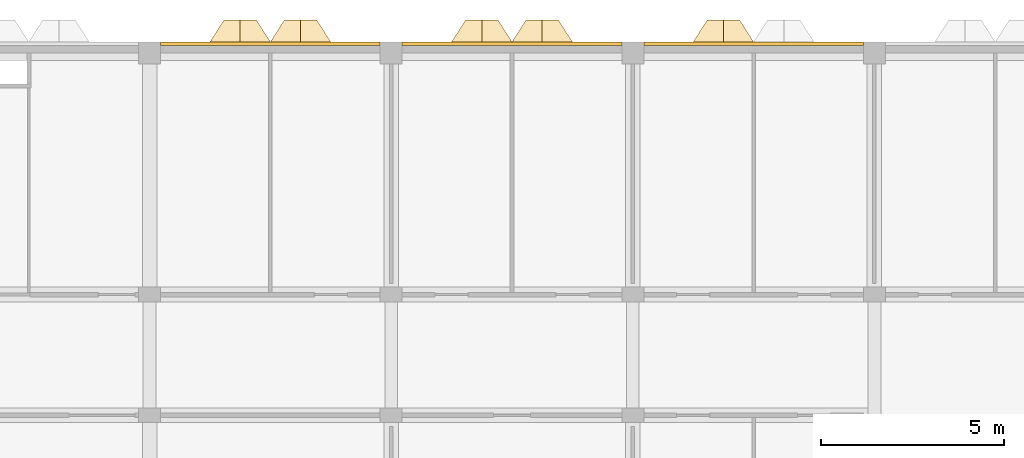
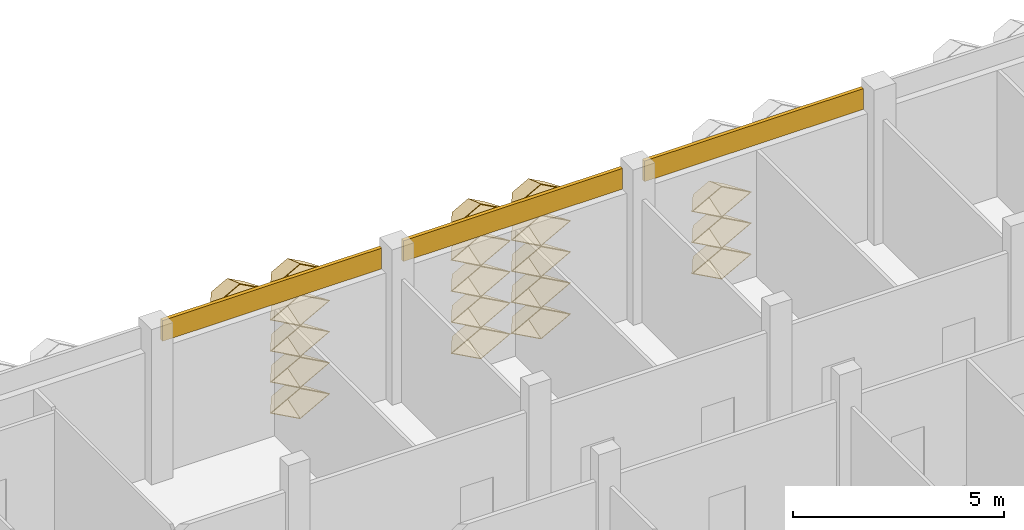
# One storey, part 94 of 102: 22 coverings.
"""IFC4 building model written with IfcOpenShell, lengths in metres."""

from ifc_helpers import new_model, entity, si_unit, direction, frame, frame_2d, origin, place, context, subcontext, project, spatial, rectangle, extrude, material, layer, layer_set, type_object, element, save


model = new_model("IFC4")

# Units and contexts
model_context = context("Model", 3, precision=1e-05, world=origin(), true_north=direction((0.0, 1.0)))
body_context = subcontext(model_context, "Body", "Model", "MODEL_VIEW")
ifc_project = project(units=[si_unit("LENGTHUNIT", "METRE"), si_unit("AREAUNIT", "SQUARE_METRE"), si_unit("VOLUMEUNIT", "CUBIC_METRE"), si_unit("PLANEANGLEUNIT", "RADIAN"), si_unit("MASSUNIT", "GRAM", prefix="KILO")], contexts=[model_context])

# Site, building, storey
site_placement = place(None, origin())
site = spatial("IfcSite", under=ifc_project, at=site_placement, CompositionType="ELEMENT")
building_placement = place(site_placement, origin())
building = spatial("IfcBuilding", under=site, at=building_placement, Name="Lantern Court Research Institute", CompositionType="ELEMENT")
storey_placement = place(building_placement, frame((0.0, 0.0, 9.89990234375)))
storey = spatial("IfcBuildingStorey", under=building, at=storey_placement, Name="L02", CompositionType="ELEMENT", Elevation=9.89990234375)

# Coverings
ifc_material_1 = material(Name="Aluminium composite panel with mineral wool insulation", Category="aluminium")
ifc_layer_1 = layer(ifc_material_1, 0.10009765625)
ifc_layer_set_1 = layer_set([ifc_layer_1], Name="Aluminium composite panel with mineral wool insulation")
covering_type_1 = type_object("IfcCoveringType", Name="Edge fascia panel 100 aluminium faced", PredefinedType="CLADDING", material=ifc_layer_set_1)
for number, where, z_axis, x_axis, name in (
    (1, (20.10009765625, 99.25, 3.650146484375), (0.0, 0.0, 1.0), (1.0, 0.0, 0.0), "Edge fascia V6N L02 03"),
    (2, (26.699951171875, 99.25, 3.650146484375), (0.0, 0.0, 1.0), (1.0, 0.0, 0.0), "Edge fascia V6N L02 04"),
    (3, (33.300048828125, 99.25, 3.650146484375), (0.0, 0.0, 1.0), (1.0, 0.0, 0.0), "Edge fascia V6N L02 05"),
):
    element("IfcCovering", number, at=place(storey_placement, frame(where, z_axis=z_axis, x_axis=x_axis)), inside=storey, type_object=covering_type_1, Name=name, PredefinedType="CLADDING", context=body_context, shape_type="SweptSolid", body=[
        extrude(rectangle(XDim=6.0, YDim=0.10009765625, at=frame_2d((3.0, 0.0))), origin(), (0.0, 0.0, 1.0), 0.599853515625),
    ])
ifc_material_2 = material(Name="Anodised aluminium", Category="aluminium")
ifc_layer_2 = layer(ifc_material_2, 0.01611328125)
ifc_layer_set_2 = layer_set([ifc_layer_2], Name="Anodised aluminium")
covering_type_2 = type_object("IfcCoveringType", Name="Fin cassette 1650 x 900 x 600 aluminium", PredefinedType="CLADDING", material=ifc_layer_set_2)
covering_1_placement = place(storey_placement, frame((23.925048828125, 99.300048828125, 0.4501953125), z_axis=(0.0, 1.0, 0.0), x_axis=(-1.0, 0.0, 0.0)))
cartesian_point_1 = entity("IfcCartesianPoint", [0.824951171875, 0.0])
cartesian_point_2 = entity("IfcCartesianPoint", [0.79150390625, 0.0])
cartesian_point_3 = entity("IfcCartesianPoint", [0.44189453125, 0.0])
cartesian_point_4 = entity("IfcCartesianPoint", [0.43359375, 0.0])
element("IfcCovering", 4, at=covering_1_placement, inside=storey, type_object=covering_type_2, Name="Fin cassette V6N-L02 1.15", PredefinedType="CLADDING", context=body_context, shape_type="SweptSolid", body=[
    entity("IfcExtrudedAreaSolidTapered", entity("IfcArbitraryProfileDefWithVoids", "AREA", None, entity("IfcPolyline", [cartesian_point_1, entity("IfcCartesianPoint", [0.0, 0.449951171875]), entity("IfcCartesianPoint", [-0.824951171875, 0.0]), entity("IfcCartesianPoint", [0.0, -0.449951171875]), cartesian_point_1]), [entity("IfcPolyline", [cartesian_point_2, entity("IfcCartesianPoint", [0.0, 0.431884765625]), entity("IfcCartesianPoint", [-0.79150390625, 0.0]), entity("IfcCartesianPoint", [0.0, -0.431884765625]), cartesian_point_2])]), entity("IfcAxis2Placement3D", entity("IfcCartesianPoint", [0.0, 0.0, 0.0])), entity("IfcDirection", [0.0, 0.0, 1.0]), 0.60009765625, entity("IfcArbitraryProfileDefWithVoids", "AREA", None, entity("IfcPolyline", [cartesian_point_3, entity("IfcCartesianPoint", [0.0, 0.240966796875]), entity("IfcCartesianPoint", [-0.44189453125, 0.0]), entity("IfcCartesianPoint", [0.0, -0.240966796875]), cartesian_point_3]), [entity("IfcPolyline", [cartesian_point_4, entity("IfcCartesianPoint", [0.0, 0.236572265625]), entity("IfcCartesianPoint", [-0.43359375, 0.0]), entity("IfcCartesianPoint", [0.0, -0.236572265625]), cartesian_point_4])])),
])
covering_2_placement = place(storey_placement, frame((28.875, 99.300048828125, 0.4501953125), z_axis=(0.0, 1.0, 0.0), x_axis=(-1.0, 0.0, 0.0)))
cartesian_point_5 = entity("IfcCartesianPoint", [0.824951171875, 0.0])
cartesian_point_6 = entity("IfcCartesianPoint", [0.79150390625, 0.0])
cartesian_point_7 = entity("IfcCartesianPoint", [0.44189453125, 0.0])
cartesian_point_8 = entity("IfcCartesianPoint", [0.43359375, 0.0])
element("IfcCovering", 5, at=covering_2_placement, inside=storey, type_object=covering_type_2, Name="Fin cassette V6N-L02 1.18", PredefinedType="CLADDING", context=body_context, shape_type="SweptSolid", body=[
    entity("IfcExtrudedAreaSolidTapered", entity("IfcArbitraryProfileDefWithVoids", "AREA", None, entity("IfcPolyline", [cartesian_point_5, entity("IfcCartesianPoint", [0.0, 0.449951171875]), entity("IfcCartesianPoint", [-0.824951171875, 0.0]), entity("IfcCartesianPoint", [0.0, -0.449951171875]), cartesian_point_5]), [entity("IfcPolyline", [cartesian_point_6, entity("IfcCartesianPoint", [0.0, 0.431884765625]), entity("IfcCartesianPoint", [-0.79150390625, 0.0]), entity("IfcCartesianPoint", [0.0, -0.431884765625]), cartesian_point_6])]), entity("IfcAxis2Placement3D", entity("IfcCartesianPoint", [0.0, 0.0, 0.0])), entity("IfcDirection", [0.0, 0.0, 1.0]), 0.60009765625, entity("IfcArbitraryProfileDefWithVoids", "AREA", None, entity("IfcPolyline", [cartesian_point_7, entity("IfcCartesianPoint", [0.0, 0.240966796875]), entity("IfcCartesianPoint", [-0.44189453125, 0.0]), entity("IfcCartesianPoint", [0.0, -0.240966796875]), cartesian_point_7]), [entity("IfcPolyline", [cartesian_point_8, entity("IfcCartesianPoint", [0.0, 0.236572265625]), entity("IfcCartesianPoint", [-0.43359375, 0.0]), entity("IfcCartesianPoint", [0.0, -0.236572265625]), cartesian_point_8])])),
])
covering_3_placement = place(storey_placement, frame((30.52490234375, 99.300048828125, 0.4501953125), z_axis=(0.0, 1.0, 0.0), x_axis=(-1.0, 0.0, 0.0)))
cartesian_point_9 = entity("IfcCartesianPoint", [0.824951171875, 0.0])
cartesian_point_10 = entity("IfcCartesianPoint", [0.79150390625, 0.0])
cartesian_point_11 = entity("IfcCartesianPoint", [0.44189453125, 0.0])
cartesian_point_12 = entity("IfcCartesianPoint", [0.43359375, 0.0])
element("IfcCovering", 6, at=covering_3_placement, inside=storey, type_object=covering_type_2, Name="Fin cassette V6N-L02 1.19", PredefinedType="CLADDING", context=body_context, shape_type="SweptSolid", body=[
    entity("IfcExtrudedAreaSolidTapered", entity("IfcArbitraryProfileDefWithVoids", "AREA", None, entity("IfcPolyline", [cartesian_point_9, entity("IfcCartesianPoint", [0.0, 0.449951171875]), entity("IfcCartesianPoint", [-0.824951171875, 0.0]), entity("IfcCartesianPoint", [0.0, -0.449951171875]), cartesian_point_9]), [entity("IfcPolyline", [cartesian_point_10, entity("IfcCartesianPoint", [0.0, 0.431884765625]), entity("IfcCartesianPoint", [-0.79150390625, 0.0]), entity("IfcCartesianPoint", [0.0, -0.431884765625]), cartesian_point_10])]), entity("IfcAxis2Placement3D", entity("IfcCartesianPoint", [0.0, 0.0, 0.0])), entity("IfcDirection", [0.0, 0.0, 1.0]), 0.60009765625, entity("IfcArbitraryProfileDefWithVoids", "AREA", None, entity("IfcPolyline", [cartesian_point_11, entity("IfcCartesianPoint", [0.0, 0.240966796875]), entity("IfcCartesianPoint", [-0.44189453125, 0.0]), entity("IfcCartesianPoint", [0.0, -0.240966796875]), cartesian_point_11]), [entity("IfcPolyline", [cartesian_point_12, entity("IfcCartesianPoint", [0.0, 0.236572265625]), entity("IfcCartesianPoint", [-0.43359375, 0.0]), entity("IfcCartesianPoint", [0.0, -0.236572265625]), cartesian_point_12])])),
])
covering_4_placement = place(storey_placement, frame((35.47509765625, 99.300048828125, 0.4501953125), z_axis=(0.0, 1.0, 0.0), x_axis=(-1.0, 0.0, 0.0)))
cartesian_point_13 = entity("IfcCartesianPoint", [0.824951171875, 0.0])
cartesian_point_14 = entity("IfcCartesianPoint", [0.79150390625, 0.0])
cartesian_point_15 = entity("IfcCartesianPoint", [0.44189453125, 0.0])
cartesian_point_16 = entity("IfcCartesianPoint", [0.43359375, 0.0])
element("IfcCovering", 7, at=covering_4_placement, inside=storey, type_object=covering_type_2, Name="Fin cassette V6N-L02 1.22", PredefinedType="CLADDING", context=body_context, shape_type="SweptSolid", body=[
    entity("IfcExtrudedAreaSolidTapered", entity("IfcArbitraryProfileDefWithVoids", "AREA", None, entity("IfcPolyline", [cartesian_point_13, entity("IfcCartesianPoint", [0.0, 0.449951171875]), entity("IfcCartesianPoint", [-0.824951171875, 0.0]), entity("IfcCartesianPoint", [0.0, -0.449951171875]), cartesian_point_13]), [entity("IfcPolyline", [cartesian_point_14, entity("IfcCartesianPoint", [0.0, 0.431884765625]), entity("IfcCartesianPoint", [-0.79150390625, 0.0]), entity("IfcCartesianPoint", [0.0, -0.431884765625]), cartesian_point_14])]), entity("IfcAxis2Placement3D", entity("IfcCartesianPoint", [0.0, 0.0, 0.0])), entity("IfcDirection", [0.0, 0.0, 1.0]), 0.60009765625, entity("IfcArbitraryProfileDefWithVoids", "AREA", None, entity("IfcPolyline", [cartesian_point_15, entity("IfcCartesianPoint", [0.0, 0.240966796875]), entity("IfcCartesianPoint", [-0.44189453125, 0.0]), entity("IfcCartesianPoint", [0.0, -0.240966796875]), cartesian_point_15]), [entity("IfcPolyline", [cartesian_point_16, entity("IfcCartesianPoint", [0.0, 0.236572265625]), entity("IfcCartesianPoint", [-0.43359375, 0.0]), entity("IfcCartesianPoint", [0.0, -0.236572265625]), cartesian_point_16])])),
])
covering_5_placement = place(storey_placement, frame((23.925048828125, 99.300048828125, 1.35009765625), z_axis=(0.0, 1.0, 0.0), x_axis=(-1.0, 0.0, 0.0)))
cartesian_point_17 = entity("IfcCartesianPoint", [0.824951171875, 0.0])
cartesian_point_18 = entity("IfcCartesianPoint", [0.79150390625, 0.0])
cartesian_point_19 = entity("IfcCartesianPoint", [0.44189453125, 0.0])
cartesian_point_20 = entity("IfcCartesianPoint", [0.43359375, 0.0])
element("IfcCovering", 8, at=covering_5_placement, inside=storey, type_object=covering_type_2, Name="Fin cassette V6N-L02 2.15", PredefinedType="CLADDING", context=body_context, shape_type="SweptSolid", body=[
    entity("IfcExtrudedAreaSolidTapered", entity("IfcArbitraryProfileDefWithVoids", "AREA", None, entity("IfcPolyline", [cartesian_point_17, entity("IfcCartesianPoint", [0.0, 0.449951171875]), entity("IfcCartesianPoint", [-0.824951171875, 0.0]), entity("IfcCartesianPoint", [0.0, -0.449951171875]), cartesian_point_17]), [entity("IfcPolyline", [cartesian_point_18, entity("IfcCartesianPoint", [0.0, 0.431884765625]), entity("IfcCartesianPoint", [-0.79150390625, 0.0]), entity("IfcCartesianPoint", [0.0, -0.431884765625]), cartesian_point_18])]), entity("IfcAxis2Placement3D", entity("IfcCartesianPoint", [0.0, 0.0, 0.0])), entity("IfcDirection", [0.0, 0.0, 1.0]), 0.60009765625, entity("IfcArbitraryProfileDefWithVoids", "AREA", None, entity("IfcPolyline", [cartesian_point_19, entity("IfcCartesianPoint", [0.0, 0.240966796875]), entity("IfcCartesianPoint", [-0.44189453125, 0.0]), entity("IfcCartesianPoint", [0.0, -0.240966796875]), cartesian_point_19]), [entity("IfcPolyline", [cartesian_point_20, entity("IfcCartesianPoint", [0.0, 0.236572265625]), entity("IfcCartesianPoint", [-0.43359375, 0.0]), entity("IfcCartesianPoint", [0.0, -0.236572265625]), cartesian_point_20])])),
])
covering_6_placement = place(storey_placement, frame((28.875, 99.300048828125, 1.35009765625), z_axis=(0.0, 1.0, 0.0), x_axis=(-1.0, 0.0, 0.0)))
cartesian_point_21 = entity("IfcCartesianPoint", [0.824951171875, 0.0])
cartesian_point_22 = entity("IfcCartesianPoint", [0.79150390625, 0.0])
cartesian_point_23 = entity("IfcCartesianPoint", [0.44189453125, 0.0])
cartesian_point_24 = entity("IfcCartesianPoint", [0.43359375, 0.0])
element("IfcCovering", 9, at=covering_6_placement, inside=storey, type_object=covering_type_2, Name="Fin cassette V6N-L02 2.18", PredefinedType="CLADDING", context=body_context, shape_type="SweptSolid", body=[
    entity("IfcExtrudedAreaSolidTapered", entity("IfcArbitraryProfileDefWithVoids", "AREA", None, entity("IfcPolyline", [cartesian_point_21, entity("IfcCartesianPoint", [0.0, 0.449951171875]), entity("IfcCartesianPoint", [-0.824951171875, 0.0]), entity("IfcCartesianPoint", [0.0, -0.449951171875]), cartesian_point_21]), [entity("IfcPolyline", [cartesian_point_22, entity("IfcCartesianPoint", [0.0, 0.431884765625]), entity("IfcCartesianPoint", [-0.79150390625, 0.0]), entity("IfcCartesianPoint", [0.0, -0.431884765625]), cartesian_point_22])]), entity("IfcAxis2Placement3D", entity("IfcCartesianPoint", [0.0, 0.0, 0.0])), entity("IfcDirection", [0.0, 0.0, 1.0]), 0.60009765625, entity("IfcArbitraryProfileDefWithVoids", "AREA", None, entity("IfcPolyline", [cartesian_point_23, entity("IfcCartesianPoint", [0.0, 0.240966796875]), entity("IfcCartesianPoint", [-0.44189453125, 0.0]), entity("IfcCartesianPoint", [0.0, -0.240966796875]), cartesian_point_23]), [entity("IfcPolyline", [cartesian_point_24, entity("IfcCartesianPoint", [0.0, 0.236572265625]), entity("IfcCartesianPoint", [-0.43359375, 0.0]), entity("IfcCartesianPoint", [0.0, -0.236572265625]), cartesian_point_24])])),
])
covering_7_placement = place(storey_placement, frame((30.52490234375, 99.300048828125, 1.35009765625), z_axis=(0.0, 1.0, 0.0), x_axis=(-1.0, 0.0, 0.0)))
cartesian_point_25 = entity("IfcCartesianPoint", [0.824951171875, 0.0])
cartesian_point_26 = entity("IfcCartesianPoint", [0.79150390625, 0.0])
cartesian_point_27 = entity("IfcCartesianPoint", [0.44189453125, 0.0])
cartesian_point_28 = entity("IfcCartesianPoint", [0.43359375, 0.0])
element("IfcCovering", 10, at=covering_7_placement, inside=storey, type_object=covering_type_2, Name="Fin cassette V6N-L02 2.19", PredefinedType="CLADDING", context=body_context, shape_type="SweptSolid", body=[
    entity("IfcExtrudedAreaSolidTapered", entity("IfcArbitraryProfileDefWithVoids", "AREA", None, entity("IfcPolyline", [cartesian_point_25, entity("IfcCartesianPoint", [0.0, 0.449951171875]), entity("IfcCartesianPoint", [-0.824951171875, 0.0]), entity("IfcCartesianPoint", [0.0, -0.449951171875]), cartesian_point_25]), [entity("IfcPolyline", [cartesian_point_26, entity("IfcCartesianPoint", [0.0, 0.431884765625]), entity("IfcCartesianPoint", [-0.79150390625, 0.0]), entity("IfcCartesianPoint", [0.0, -0.431884765625]), cartesian_point_26])]), entity("IfcAxis2Placement3D", entity("IfcCartesianPoint", [0.0, 0.0, 0.0])), entity("IfcDirection", [0.0, 0.0, 1.0]), 0.60009765625, entity("IfcArbitraryProfileDefWithVoids", "AREA", None, entity("IfcPolyline", [cartesian_point_27, entity("IfcCartesianPoint", [0.0, 0.240966796875]), entity("IfcCartesianPoint", [-0.44189453125, 0.0]), entity("IfcCartesianPoint", [0.0, -0.240966796875]), cartesian_point_27]), [entity("IfcPolyline", [cartesian_point_28, entity("IfcCartesianPoint", [0.0, 0.236572265625]), entity("IfcCartesianPoint", [-0.43359375, 0.0]), entity("IfcCartesianPoint", [0.0, -0.236572265625]), cartesian_point_28])])),
])
covering_8_placement = place(storey_placement, frame((35.47509765625, 99.300048828125, 1.35009765625), z_axis=(0.0, 1.0, 0.0), x_axis=(-1.0, 0.0, 0.0)))
cartesian_point_29 = entity("IfcCartesianPoint", [0.824951171875, 0.0])
cartesian_point_30 = entity("IfcCartesianPoint", [0.79150390625, 0.0])
cartesian_point_31 = entity("IfcCartesianPoint", [0.44189453125, 0.0])
cartesian_point_32 = entity("IfcCartesianPoint", [0.43359375, 0.0])
element("IfcCovering", 11, at=covering_8_placement, inside=storey, type_object=covering_type_2, Name="Fin cassette V6N-L02 2.22", PredefinedType="CLADDING", context=body_context, shape_type="SweptSolid", body=[
    entity("IfcExtrudedAreaSolidTapered", entity("IfcArbitraryProfileDefWithVoids", "AREA", None, entity("IfcPolyline", [cartesian_point_29, entity("IfcCartesianPoint", [0.0, 0.449951171875]), entity("IfcCartesianPoint", [-0.824951171875, 0.0]), entity("IfcCartesianPoint", [0.0, -0.449951171875]), cartesian_point_29]), [entity("IfcPolyline", [cartesian_point_30, entity("IfcCartesianPoint", [0.0, 0.431884765625]), entity("IfcCartesianPoint", [-0.79150390625, 0.0]), entity("IfcCartesianPoint", [0.0, -0.431884765625]), cartesian_point_30])]), entity("IfcAxis2Placement3D", entity("IfcCartesianPoint", [0.0, 0.0, 0.0])), entity("IfcDirection", [0.0, 0.0, 1.0]), 0.60009765625, entity("IfcArbitraryProfileDefWithVoids", "AREA", None, entity("IfcPolyline", [cartesian_point_31, entity("IfcCartesianPoint", [0.0, 0.240966796875]), entity("IfcCartesianPoint", [-0.44189453125, 0.0]), entity("IfcCartesianPoint", [0.0, -0.240966796875]), cartesian_point_31]), [entity("IfcPolyline", [cartesian_point_32, entity("IfcCartesianPoint", [0.0, 0.236572265625]), entity("IfcCartesianPoint", [-0.43359375, 0.0]), entity("IfcCartesianPoint", [0.0, -0.236572265625]), cartesian_point_32])])),
])
covering_9_placement = place(storey_placement, frame((23.925048828125, 99.300048828125, 2.25), z_axis=(0.0, 1.0, 0.0), x_axis=(-1.0, 0.0, 0.0)))
cartesian_point_33 = entity("IfcCartesianPoint", [0.824951171875, 0.0])
cartesian_point_34 = entity("IfcCartesianPoint", [0.79150390625, 0.0])
cartesian_point_35 = entity("IfcCartesianPoint", [0.44189453125, 0.0])
cartesian_point_36 = entity("IfcCartesianPoint", [0.43359375, 0.0])
element("IfcCovering", 12, at=covering_9_placement, inside=storey, type_object=covering_type_2, Name="Fin cassette V6N-L02 3.15", PredefinedType="CLADDING", context=body_context, shape_type="SweptSolid", body=[
    entity("IfcExtrudedAreaSolidTapered", entity("IfcArbitraryProfileDefWithVoids", "AREA", None, entity("IfcPolyline", [cartesian_point_33, entity("IfcCartesianPoint", [0.0, 0.449951171875]), entity("IfcCartesianPoint", [-0.824951171875, 0.0]), entity("IfcCartesianPoint", [0.0, -0.449951171875]), cartesian_point_33]), [entity("IfcPolyline", [cartesian_point_34, entity("IfcCartesianPoint", [0.0, 0.431884765625]), entity("IfcCartesianPoint", [-0.79150390625, 0.0]), entity("IfcCartesianPoint", [0.0, -0.431884765625]), cartesian_point_34])]), entity("IfcAxis2Placement3D", entity("IfcCartesianPoint", [0.0, 0.0, 0.0])), entity("IfcDirection", [0.0, 0.0, 1.0]), 0.60009765625, entity("IfcArbitraryProfileDefWithVoids", "AREA", None, entity("IfcPolyline", [cartesian_point_35, entity("IfcCartesianPoint", [0.0, 0.240966796875]), entity("IfcCartesianPoint", [-0.44189453125, 0.0]), entity("IfcCartesianPoint", [0.0, -0.240966796875]), cartesian_point_35]), [entity("IfcPolyline", [cartesian_point_36, entity("IfcCartesianPoint", [0.0, 0.236572265625]), entity("IfcCartesianPoint", [-0.43359375, 0.0]), entity("IfcCartesianPoint", [0.0, -0.236572265625]), cartesian_point_36])])),
])
covering_10_placement = place(storey_placement, frame((28.875, 99.300048828125, 2.25), z_axis=(0.0, 1.0, 0.0), x_axis=(-1.0, 0.0, 0.0)))
cartesian_point_37 = entity("IfcCartesianPoint", [0.824951171875, 0.0])
cartesian_point_38 = entity("IfcCartesianPoint", [0.79150390625, 0.0])
cartesian_point_39 = entity("IfcCartesianPoint", [0.44189453125, 0.0])
cartesian_point_40 = entity("IfcCartesianPoint", [0.43359375, 0.0])
element("IfcCovering", 13, at=covering_10_placement, inside=storey, type_object=covering_type_2, Name="Fin cassette V6N-L02 3.18", PredefinedType="CLADDING", context=body_context, shape_type="SweptSolid", body=[
    entity("IfcExtrudedAreaSolidTapered", entity("IfcArbitraryProfileDefWithVoids", "AREA", None, entity("IfcPolyline", [cartesian_point_37, entity("IfcCartesianPoint", [0.0, 0.449951171875]), entity("IfcCartesianPoint", [-0.824951171875, 0.0]), entity("IfcCartesianPoint", [0.0, -0.449951171875]), cartesian_point_37]), [entity("IfcPolyline", [cartesian_point_38, entity("IfcCartesianPoint", [0.0, 0.431884765625]), entity("IfcCartesianPoint", [-0.79150390625, 0.0]), entity("IfcCartesianPoint", [0.0, -0.431884765625]), cartesian_point_38])]), entity("IfcAxis2Placement3D", entity("IfcCartesianPoint", [0.0, 0.0, 0.0])), entity("IfcDirection", [0.0, 0.0, 1.0]), 0.60009765625, entity("IfcArbitraryProfileDefWithVoids", "AREA", None, entity("IfcPolyline", [cartesian_point_39, entity("IfcCartesianPoint", [0.0, 0.240966796875]), entity("IfcCartesianPoint", [-0.44189453125, 0.0]), entity("IfcCartesianPoint", [0.0, -0.240966796875]), cartesian_point_39]), [entity("IfcPolyline", [cartesian_point_40, entity("IfcCartesianPoint", [0.0, 0.236572265625]), entity("IfcCartesianPoint", [-0.43359375, 0.0]), entity("IfcCartesianPoint", [0.0, -0.236572265625]), cartesian_point_40])])),
])
covering_11_placement = place(storey_placement, frame((30.52490234375, 99.300048828125, 2.25), z_axis=(0.0, 1.0, 0.0), x_axis=(-1.0, 0.0, 0.0)))
cartesian_point_41 = entity("IfcCartesianPoint", [0.824951171875, 0.0])
cartesian_point_42 = entity("IfcCartesianPoint", [0.79150390625, 0.0])
cartesian_point_43 = entity("IfcCartesianPoint", [0.44189453125, 0.0])
cartesian_point_44 = entity("IfcCartesianPoint", [0.43359375, 0.0])
element("IfcCovering", 14, at=covering_11_placement, inside=storey, type_object=covering_type_2, Name="Fin cassette V6N-L02 3.19", PredefinedType="CLADDING", context=body_context, shape_type="SweptSolid", body=[
    entity("IfcExtrudedAreaSolidTapered", entity("IfcArbitraryProfileDefWithVoids", "AREA", None, entity("IfcPolyline", [cartesian_point_41, entity("IfcCartesianPoint", [0.0, 0.449951171875]), entity("IfcCartesianPoint", [-0.824951171875, 0.0]), entity("IfcCartesianPoint", [0.0, -0.449951171875]), cartesian_point_41]), [entity("IfcPolyline", [cartesian_point_42, entity("IfcCartesianPoint", [0.0, 0.431884765625]), entity("IfcCartesianPoint", [-0.79150390625, 0.0]), entity("IfcCartesianPoint", [0.0, -0.431884765625]), cartesian_point_42])]), entity("IfcAxis2Placement3D", entity("IfcCartesianPoint", [0.0, 0.0, 0.0])), entity("IfcDirection", [0.0, 0.0, 1.0]), 0.60009765625, entity("IfcArbitraryProfileDefWithVoids", "AREA", None, entity("IfcPolyline", [cartesian_point_43, entity("IfcCartesianPoint", [0.0, 0.240966796875]), entity("IfcCartesianPoint", [-0.44189453125, 0.0]), entity("IfcCartesianPoint", [0.0, -0.240966796875]), cartesian_point_43]), [entity("IfcPolyline", [cartesian_point_44, entity("IfcCartesianPoint", [0.0, 0.236572265625]), entity("IfcCartesianPoint", [-0.43359375, 0.0]), entity("IfcCartesianPoint", [0.0, -0.236572265625]), cartesian_point_44])])),
])
covering_12_placement = place(storey_placement, frame((35.47509765625, 99.300048828125, 2.25), z_axis=(0.0, 1.0, 0.0), x_axis=(-1.0, 0.0, 0.0)))
cartesian_point_45 = entity("IfcCartesianPoint", [0.824951171875, 0.0])
cartesian_point_46 = entity("IfcCartesianPoint", [0.79150390625, 0.0])
cartesian_point_47 = entity("IfcCartesianPoint", [0.44189453125, 0.0])
cartesian_point_48 = entity("IfcCartesianPoint", [0.43359375, 0.0])
element("IfcCovering", 15, at=covering_12_placement, inside=storey, type_object=covering_type_2, Name="Fin cassette V6N-L02 3.22", PredefinedType="CLADDING", context=body_context, shape_type="SweptSolid", body=[
    entity("IfcExtrudedAreaSolidTapered", entity("IfcArbitraryProfileDefWithVoids", "AREA", None, entity("IfcPolyline", [cartesian_point_45, entity("IfcCartesianPoint", [0.0, 0.449951171875]), entity("IfcCartesianPoint", [-0.824951171875, 0.0]), entity("IfcCartesianPoint", [0.0, -0.449951171875]), cartesian_point_45]), [entity("IfcPolyline", [cartesian_point_46, entity("IfcCartesianPoint", [0.0, 0.431884765625]), entity("IfcCartesianPoint", [-0.79150390625, 0.0]), entity("IfcCartesianPoint", [0.0, -0.431884765625]), cartesian_point_46])]), entity("IfcAxis2Placement3D", entity("IfcCartesianPoint", [0.0, 0.0, 0.0])), entity("IfcDirection", [0.0, 0.0, 1.0]), 0.60009765625, entity("IfcArbitraryProfileDefWithVoids", "AREA", None, entity("IfcPolyline", [cartesian_point_47, entity("IfcCartesianPoint", [0.0, 0.240966796875]), entity("IfcCartesianPoint", [-0.44189453125, 0.0]), entity("IfcCartesianPoint", [0.0, -0.240966796875]), cartesian_point_47]), [entity("IfcPolyline", [cartesian_point_48, entity("IfcCartesianPoint", [0.0, 0.236572265625]), entity("IfcCartesianPoint", [-0.43359375, 0.0]), entity("IfcCartesianPoint", [0.0, -0.236572265625]), cartesian_point_48])])),
])
covering_13_placement = place(storey_placement, frame((23.925048828125, 99.300048828125, 3.150146484375), z_axis=(0.0, 1.0, 0.0), x_axis=(-1.0, 0.0, 0.0)))
cartesian_point_49 = entity("IfcCartesianPoint", [0.824951171875, 0.0])
cartesian_point_50 = entity("IfcCartesianPoint", [0.79150390625, 0.0])
cartesian_point_51 = entity("IfcCartesianPoint", [0.44189453125, 0.0])
cartesian_point_52 = entity("IfcCartesianPoint", [0.43359375, 0.0])
element("IfcCovering", 16, at=covering_13_placement, inside=storey, type_object=covering_type_2, Name="Fin cassette V6N-L02 4.15", PredefinedType="CLADDING", context=body_context, shape_type="SweptSolid", body=[
    entity("IfcExtrudedAreaSolidTapered", entity("IfcArbitraryProfileDefWithVoids", "AREA", None, entity("IfcPolyline", [cartesian_point_49, entity("IfcCartesianPoint", [0.0, 0.449951171875]), entity("IfcCartesianPoint", [-0.824951171875, 0.0]), entity("IfcCartesianPoint", [0.0, -0.449951171875]), cartesian_point_49]), [entity("IfcPolyline", [cartesian_point_50, entity("IfcCartesianPoint", [0.0, 0.431884765625]), entity("IfcCartesianPoint", [-0.79150390625, 0.0]), entity("IfcCartesianPoint", [0.0, -0.431884765625]), cartesian_point_50])]), entity("IfcAxis2Placement3D", entity("IfcCartesianPoint", [0.0, 0.0, 0.0])), entity("IfcDirection", [0.0, 0.0, 1.0]), 0.60009765625, entity("IfcArbitraryProfileDefWithVoids", "AREA", None, entity("IfcPolyline", [cartesian_point_51, entity("IfcCartesianPoint", [0.0, 0.240966796875]), entity("IfcCartesianPoint", [-0.44189453125, 0.0]), entity("IfcCartesianPoint", [0.0, -0.240966796875]), cartesian_point_51]), [entity("IfcPolyline", [cartesian_point_52, entity("IfcCartesianPoint", [0.0, 0.236572265625]), entity("IfcCartesianPoint", [-0.43359375, 0.0]), entity("IfcCartesianPoint", [0.0, -0.236572265625]), cartesian_point_52])])),
])
covering_14_placement = place(storey_placement, frame((28.875, 99.300048828125, 3.150146484375), z_axis=(0.0, 1.0, 0.0), x_axis=(-1.0, 0.0, 0.0)))
cartesian_point_53 = entity("IfcCartesianPoint", [0.824951171875, 0.0])
cartesian_point_54 = entity("IfcCartesianPoint", [0.79150390625, 0.0])
cartesian_point_55 = entity("IfcCartesianPoint", [0.44189453125, 0.0])
cartesian_point_56 = entity("IfcCartesianPoint", [0.43359375, 0.0])
element("IfcCovering", 17, at=covering_14_placement, inside=storey, type_object=covering_type_2, Name="Fin cassette V6N-L02 4.18", PredefinedType="CLADDING", context=body_context, shape_type="SweptSolid", body=[
    entity("IfcExtrudedAreaSolidTapered", entity("IfcArbitraryProfileDefWithVoids", "AREA", None, entity("IfcPolyline", [cartesian_point_53, entity("IfcCartesianPoint", [0.0, 0.449951171875]), entity("IfcCartesianPoint", [-0.824951171875, 0.0]), entity("IfcCartesianPoint", [0.0, -0.449951171875]), cartesian_point_53]), [entity("IfcPolyline", [cartesian_point_54, entity("IfcCartesianPoint", [0.0, 0.431884765625]), entity("IfcCartesianPoint", [-0.79150390625, 0.0]), entity("IfcCartesianPoint", [0.0, -0.431884765625]), cartesian_point_54])]), entity("IfcAxis2Placement3D", entity("IfcCartesianPoint", [0.0, 0.0, 0.0])), entity("IfcDirection", [0.0, 0.0, 1.0]), 0.60009765625, entity("IfcArbitraryProfileDefWithVoids", "AREA", None, entity("IfcPolyline", [cartesian_point_55, entity("IfcCartesianPoint", [0.0, 0.240966796875]), entity("IfcCartesianPoint", [-0.44189453125, 0.0]), entity("IfcCartesianPoint", [0.0, -0.240966796875]), cartesian_point_55]), [entity("IfcPolyline", [cartesian_point_56, entity("IfcCartesianPoint", [0.0, 0.236572265625]), entity("IfcCartesianPoint", [-0.43359375, 0.0]), entity("IfcCartesianPoint", [0.0, -0.236572265625]), cartesian_point_56])])),
])
covering_15_placement = place(storey_placement, frame((30.52490234375, 99.300048828125, 3.150146484375), z_axis=(0.0, 1.0, 0.0), x_axis=(-1.0, 0.0, 0.0)))
cartesian_point_57 = entity("IfcCartesianPoint", [0.824951171875, 0.0])
cartesian_point_58 = entity("IfcCartesianPoint", [0.79150390625, 0.0])
cartesian_point_59 = entity("IfcCartesianPoint", [0.44189453125, 0.0])
cartesian_point_60 = entity("IfcCartesianPoint", [0.43359375, 0.0])
element("IfcCovering", 18, at=covering_15_placement, inside=storey, type_object=covering_type_2, Name="Fin cassette V6N-L02 4.19", PredefinedType="CLADDING", context=body_context, shape_type="SweptSolid", body=[
    entity("IfcExtrudedAreaSolidTapered", entity("IfcArbitraryProfileDefWithVoids", "AREA", None, entity("IfcPolyline", [cartesian_point_57, entity("IfcCartesianPoint", [0.0, 0.449951171875]), entity("IfcCartesianPoint", [-0.824951171875, 0.0]), entity("IfcCartesianPoint", [0.0, -0.449951171875]), cartesian_point_57]), [entity("IfcPolyline", [cartesian_point_58, entity("IfcCartesianPoint", [0.0, 0.431884765625]), entity("IfcCartesianPoint", [-0.79150390625, 0.0]), entity("IfcCartesianPoint", [0.0, -0.431884765625]), cartesian_point_58])]), entity("IfcAxis2Placement3D", entity("IfcCartesianPoint", [0.0, 0.0, 0.0])), entity("IfcDirection", [0.0, 0.0, 1.0]), 0.60009765625, entity("IfcArbitraryProfileDefWithVoids", "AREA", None, entity("IfcPolyline", [cartesian_point_59, entity("IfcCartesianPoint", [0.0, 0.240966796875]), entity("IfcCartesianPoint", [-0.44189453125, 0.0]), entity("IfcCartesianPoint", [0.0, -0.240966796875]), cartesian_point_59]), [entity("IfcPolyline", [cartesian_point_60, entity("IfcCartesianPoint", [0.0, 0.236572265625]), entity("IfcCartesianPoint", [-0.43359375, 0.0]), entity("IfcCartesianPoint", [0.0, -0.236572265625]), cartesian_point_60])])),
])
covering_16_placement = place(storey_placement, frame((22.27490234375, 99.300048828125, 4.050048828125), z_axis=(0.0, 1.0, 0.0), x_axis=(-1.0, 0.0, 0.0)))
cartesian_point_61 = entity("IfcCartesianPoint", [0.824951171875, 0.0])
cartesian_point_62 = entity("IfcCartesianPoint", [0.79150390625, 0.0])
cartesian_point_63 = entity("IfcCartesianPoint", [0.44189453125, 0.0])
cartesian_point_64 = entity("IfcCartesianPoint", [0.43359375, 0.0])
element("IfcCovering", 19, at=covering_16_placement, inside=storey, type_object=covering_type_2, Name="Fin cassette V6N-L02 5.14", PredefinedType="CLADDING", context=body_context, shape_type="SweptSolid", body=[
    entity("IfcExtrudedAreaSolidTapered", entity("IfcArbitraryProfileDefWithVoids", "AREA", None, entity("IfcPolyline", [cartesian_point_61, entity("IfcCartesianPoint", [0.0, 0.449951171875]), entity("IfcCartesianPoint", [-0.824951171875, 0.0]), entity("IfcCartesianPoint", [0.0, -0.449951171875]), cartesian_point_61]), [entity("IfcPolyline", [cartesian_point_62, entity("IfcCartesianPoint", [0.0, 0.431884765625]), entity("IfcCartesianPoint", [-0.79150390625, 0.0]), entity("IfcCartesianPoint", [0.0, -0.431884765625]), cartesian_point_62])]), entity("IfcAxis2Placement3D", entity("IfcCartesianPoint", [0.0, 0.0, 0.0])), entity("IfcDirection", [0.0, 0.0, 1.0]), 0.60009765625, entity("IfcArbitraryProfileDefWithVoids", "AREA", None, entity("IfcPolyline", [cartesian_point_63, entity("IfcCartesianPoint", [0.0, 0.240966796875]), entity("IfcCartesianPoint", [-0.44189453125, 0.0]), entity("IfcCartesianPoint", [0.0, -0.240966796875]), cartesian_point_63]), [entity("IfcPolyline", [cartesian_point_64, entity("IfcCartesianPoint", [0.0, 0.236572265625]), entity("IfcCartesianPoint", [-0.43359375, 0.0]), entity("IfcCartesianPoint", [0.0, -0.236572265625]), cartesian_point_64])])),
])
covering_17_placement = place(storey_placement, frame((23.925048828125, 99.300048828125, 4.050048828125), z_axis=(0.0, 1.0, 0.0), x_axis=(-1.0, 0.0, 0.0)))
cartesian_point_65 = entity("IfcCartesianPoint", [0.824951171875, 0.0])
cartesian_point_66 = entity("IfcCartesianPoint", [0.79150390625, 0.0])
cartesian_point_67 = entity("IfcCartesianPoint", [0.44189453125, 0.0])
cartesian_point_68 = entity("IfcCartesianPoint", [0.43359375, 0.0])
element("IfcCovering", 20, at=covering_17_placement, inside=storey, type_object=covering_type_2, Name="Fin cassette V6N-L02 5.15", PredefinedType="CLADDING", context=body_context, shape_type="SweptSolid", body=[
    entity("IfcExtrudedAreaSolidTapered", entity("IfcArbitraryProfileDefWithVoids", "AREA", None, entity("IfcPolyline", [cartesian_point_65, entity("IfcCartesianPoint", [0.0, 0.449951171875]), entity("IfcCartesianPoint", [-0.824951171875, 0.0]), entity("IfcCartesianPoint", [0.0, -0.449951171875]), cartesian_point_65]), [entity("IfcPolyline", [cartesian_point_66, entity("IfcCartesianPoint", [0.0, 0.431884765625]), entity("IfcCartesianPoint", [-0.79150390625, 0.0]), entity("IfcCartesianPoint", [0.0, -0.431884765625]), cartesian_point_66])]), entity("IfcAxis2Placement3D", entity("IfcCartesianPoint", [0.0, 0.0, 0.0])), entity("IfcDirection", [0.0, 0.0, 1.0]), 0.60009765625, entity("IfcArbitraryProfileDefWithVoids", "AREA", None, entity("IfcPolyline", [cartesian_point_67, entity("IfcCartesianPoint", [0.0, 0.240966796875]), entity("IfcCartesianPoint", [-0.44189453125, 0.0]), entity("IfcCartesianPoint", [0.0, -0.240966796875]), cartesian_point_67]), [entity("IfcPolyline", [cartesian_point_68, entity("IfcCartesianPoint", [0.0, 0.236572265625]), entity("IfcCartesianPoint", [-0.43359375, 0.0]), entity("IfcCartesianPoint", [0.0, -0.236572265625]), cartesian_point_68])])),
])
covering_18_placement = place(storey_placement, frame((28.875, 99.300048828125, 4.050048828125), z_axis=(0.0, 1.0, 0.0), x_axis=(-1.0, 0.0, 0.0)))
cartesian_point_69 = entity("IfcCartesianPoint", [0.824951171875, 0.0])
cartesian_point_70 = entity("IfcCartesianPoint", [0.79150390625, 0.0])
cartesian_point_71 = entity("IfcCartesianPoint", [0.44189453125, 0.0])
cartesian_point_72 = entity("IfcCartesianPoint", [0.43359375, 0.0])
element("IfcCovering", 21, at=covering_18_placement, inside=storey, type_object=covering_type_2, Name="Fin cassette V6N-L02 5.18", PredefinedType="CLADDING", context=body_context, shape_type="SweptSolid", body=[
    entity("IfcExtrudedAreaSolidTapered", entity("IfcArbitraryProfileDefWithVoids", "AREA", None, entity("IfcPolyline", [cartesian_point_69, entity("IfcCartesianPoint", [0.0, 0.449951171875]), entity("IfcCartesianPoint", [-0.824951171875, 0.0]), entity("IfcCartesianPoint", [0.0, -0.449951171875]), cartesian_point_69]), [entity("IfcPolyline", [cartesian_point_70, entity("IfcCartesianPoint", [0.0, 0.431884765625]), entity("IfcCartesianPoint", [-0.79150390625, 0.0]), entity("IfcCartesianPoint", [0.0, -0.431884765625]), cartesian_point_70])]), entity("IfcAxis2Placement3D", entity("IfcCartesianPoint", [0.0, 0.0, 0.0])), entity("IfcDirection", [0.0, 0.0, 1.0]), 0.60009765625, entity("IfcArbitraryProfileDefWithVoids", "AREA", None, entity("IfcPolyline", [cartesian_point_71, entity("IfcCartesianPoint", [0.0, 0.240966796875]), entity("IfcCartesianPoint", [-0.44189453125, 0.0]), entity("IfcCartesianPoint", [0.0, -0.240966796875]), cartesian_point_71]), [entity("IfcPolyline", [cartesian_point_72, entity("IfcCartesianPoint", [0.0, 0.236572265625]), entity("IfcCartesianPoint", [-0.43359375, 0.0]), entity("IfcCartesianPoint", [0.0, -0.236572265625]), cartesian_point_72])])),
])
covering_19_placement = place(storey_placement, frame((30.52490234375, 99.300048828125, 4.050048828125), z_axis=(0.0, 1.0, 0.0), x_axis=(-1.0, 0.0, 0.0)))
cartesian_point_73 = entity("IfcCartesianPoint", [0.824951171875, 0.0])
cartesian_point_74 = entity("IfcCartesianPoint", [0.79150390625, 0.0])
cartesian_point_75 = entity("IfcCartesianPoint", [0.44189453125, 0.0])
cartesian_point_76 = entity("IfcCartesianPoint", [0.43359375, 0.0])
element("IfcCovering", 22, at=covering_19_placement, inside=storey, type_object=covering_type_2, Name="Fin cassette V6N-L02 5.19", PredefinedType="CLADDING", context=body_context, shape_type="SweptSolid", body=[
    entity("IfcExtrudedAreaSolidTapered", entity("IfcArbitraryProfileDefWithVoids", "AREA", None, entity("IfcPolyline", [cartesian_point_73, entity("IfcCartesianPoint", [0.0, 0.449951171875]), entity("IfcCartesianPoint", [-0.824951171875, 0.0]), entity("IfcCartesianPoint", [0.0, -0.449951171875]), cartesian_point_73]), [entity("IfcPolyline", [cartesian_point_74, entity("IfcCartesianPoint", [0.0, 0.431884765625]), entity("IfcCartesianPoint", [-0.79150390625, 0.0]), entity("IfcCartesianPoint", [0.0, -0.431884765625]), cartesian_point_74])]), entity("IfcAxis2Placement3D", entity("IfcCartesianPoint", [0.0, 0.0, 0.0])), entity("IfcDirection", [0.0, 0.0, 1.0]), 0.60009765625, entity("IfcArbitraryProfileDefWithVoids", "AREA", None, entity("IfcPolyline", [cartesian_point_75, entity("IfcCartesianPoint", [0.0, 0.240966796875]), entity("IfcCartesianPoint", [-0.44189453125, 0.0]), entity("IfcCartesianPoint", [0.0, -0.240966796875]), cartesian_point_75]), [entity("IfcPolyline", [cartesian_point_76, entity("IfcCartesianPoint", [0.0, 0.236572265625]), entity("IfcCartesianPoint", [-0.43359375, 0.0]), entity("IfcCartesianPoint", [0.0, -0.236572265625]), cartesian_point_76])])),
])

save(model, "model.ifc")
